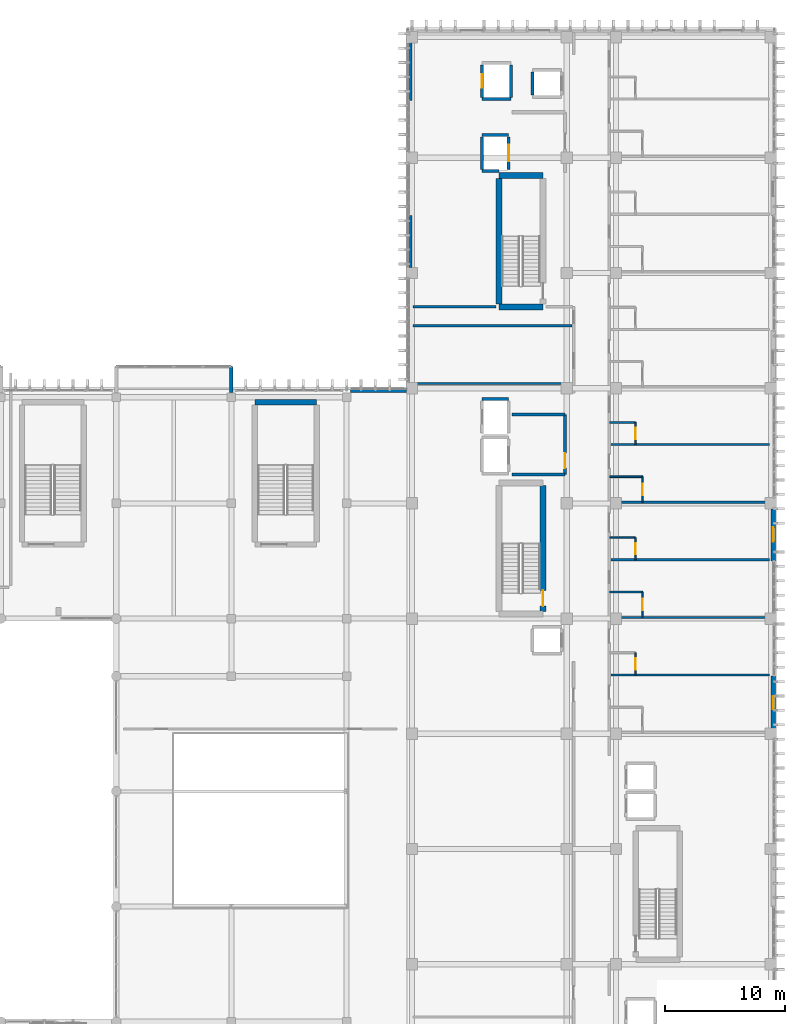
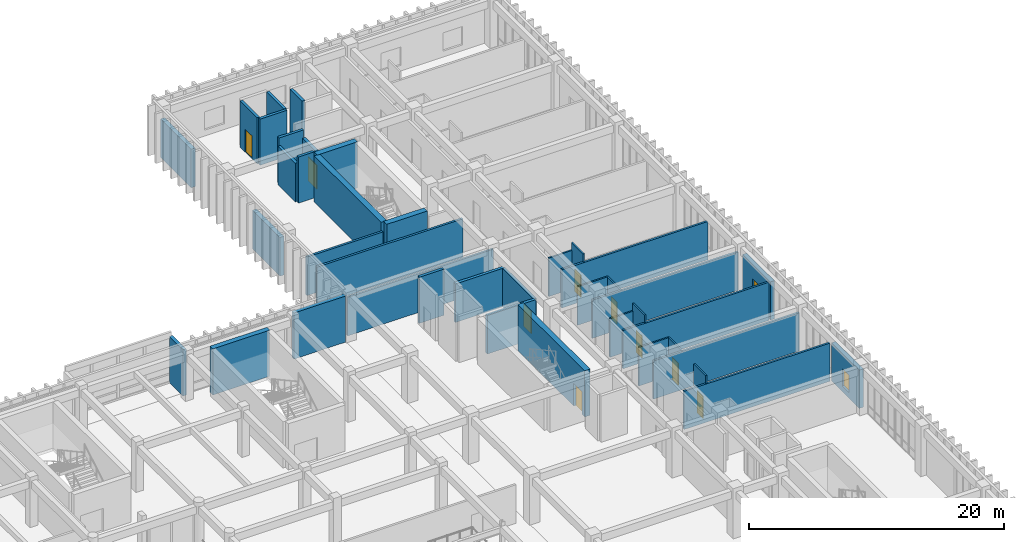
# One storey, part 106 of 133: 40 walls, 9 doors, 2 windows, 11 openings.
"""IFC4 building model written with IfcOpenShell, lengths in metres."""

import ifcopenshell
import ifcopenshell.guid

model = None  # the IFC model being written
_history = None  # IfcOwnerHistory: only IFC2X3 demands one
_inside = {}  # id of a spatial element -> (the spatial element, [elements in it])
_under = {}  # id of a project, library or spatial element -> (it, [spatial elements below it])
_declared = {}  # id of a project -> (the project, [libraries it declares])
_typed = {}  # id of a type object -> (the type object, [elements of that type])
_made_of = {}  # id of a material, layer set ... -> (it, [elements and type objects made of it])


def new_model(schema):
    """Start an empty IFC model of exactly this schema.

    Asked for "IFC4X3", IfcOpenShell would pick the latest addendum, in which some entities
    have other attributes; the version numbers below select the first issue.
    IFC2X3 requires an IfcOwnerHistory on every rooted entity: one is made here for all.
    """
    global model, _history
    if schema == "IFC4X3":
        model = ifcopenshell.file(schema_version=(4, 3, 0, 0))
    else:
        model = ifcopenshell.file(schema=schema)
    _inside.clear()
    _under.clear()
    _declared.clear()
    _typed.clear()
    _made_of.clear()
    _history = None
    if model.schema == "IFC2X3":
        org = make("IfcOrganization", Name="unknown")
        user = make(
            "IfcPersonAndOrganization",
            ThePerson=make("IfcPerson", FamilyName="unknown"),
            TheOrganization=org,
        )
        app = make(
            "IfcApplication",
            ApplicationDeveloper=org,
            Version="unknown",
            ApplicationFullName="unknown",
            ApplicationIdentifier="unknown",
        )
        _history = make(
            "IfcOwnerHistory",
            OwningUser=user,
            OwningApplication=app,
            ChangeAction="ADDED",
            CreationDate=0,
        )
    return model


def make(cls, **values):
    """One entity of the class cls with the attributes given. An attribute that is None is left unset."""
    return model.create_entity(
        cls, **{name: value for name, value in values.items() if value is not None}
    )


def rooted(cls, **values):
    """An entity with a GlobalId (a new one), such as an element, a storey or a relation."""
    return make(cls, GlobalId=ifcopenshell.guid.new(), OwnerHistory=_history, **values)


def si_unit(unit_type, name, prefix=None):
    """IfcSIUnit, for example si_unit("LENGTHUNIT", "METRE", prefix="MILLI")."""
    return make("IfcSIUnit", UnitType=unit_type, Prefix=prefix, Name=name)


def assignment(units):
    """IfcUnitAssignment: the units of a project."""
    return None if units is None else make("IfcUnitAssignment", Units=units)


def point(xyz):
    """IfcCartesianPoint."""
    return None if xyz is None else make("IfcCartesianPoint", Coordinates=xyz)


def direction(xyz):
    """IfcDirection."""
    return None if xyz is None else make("IfcDirection", DirectionRatios=xyz)


def frame(location, z_axis=None, x_axis=None):
    """IfcAxis2Placement3D, a coordinate frame: its origin and axes. An axis left out is left unset."""
    return make(
        "IfcAxis2Placement3D",
        Location=point(location),
        Axis=direction(z_axis),
        RefDirection=direction(x_axis),
    )


def frame_2d(location, x_axis=None):
    """IfcAxis2Placement2D, a coordinate frame in the plane: its origin and x axis."""
    return make(
        "IfcAxis2Placement2D", Location=point(location), RefDirection=direction(x_axis)
    )


def origin():
    """The frame at (0, 0, 0) with its axes left unset."""
    return frame((0.0, 0.0, 0.0))


def place(relative_to, where):
    """IfcLocalPlacement: puts the frame where relative to a parent placement (None: the world)."""
    return make(
        "IfcLocalPlacement", PlacementRelTo=relative_to, RelativePlacement=where
    )


def context(
    kind, dimensions, precision=None, world=None, true_north=None, identifier=None
):
    """IfcGeometricRepresentationContext, for example the 3D "Model" context."""
    return make(
        "IfcGeometricRepresentationContext",
        ContextIdentifier=identifier,
        ContextType=kind,
        CoordinateSpaceDimension=dimensions,
        Precision=precision,
        WorldCoordinateSystem=world,
        TrueNorth=true_north,
    )


def subcontext(parent, identifier, kind, view, scale=None):
    """IfcGeometricRepresentationSubContext, for example "Body" below "Model"."""
    return make(
        "IfcGeometricRepresentationSubContext",
        ContextIdentifier=identifier,
        ContextType=kind,
        ParentContext=parent,
        TargetScale=scale,
        TargetView=view,
    )


def project(units=None, contexts=None):
    """IfcProject with its units and contexts."""
    return rooted(
        "IfcProject",
        Name="project",
        RepresentationContexts=contexts,
        UnitsInContext=assignment(units),
    )


def spatial(cls, under=None, at=None, **own):
    """A site, building, storey or space (cls), placed at a placement, below another one or the project."""
    s = rooted(cls, ObjectPlacement=at, **own)
    if under is not None:
        _under.setdefault(under.id(), (under, []))[1].append(s)
    return s


def profile(cls, at=None, kind="AREA", **sizes):
    """A parametric profile (cls). Its sizes go by their IFC names, for example OverallWidth=200.0."""
    return make(cls, ProfileType=kind, Position=at, **sizes)


def rectangle(**sizes):
    """IfcRectangleProfileDef."""
    return profile("IfcRectangleProfileDef", **sizes)


def extrude(swept, where, along, depth):
    """IfcExtrudedAreaSolid: the profile swept, set in the frame where, extruded along a direction by depth."""
    return make(
        "IfcExtrudedAreaSolid",
        SweptArea=swept,
        Position=where,
        ExtrudedDirection=direction(along),
        Depth=depth,
    )


def shape(context_of_items, identifier, shape_type, items):
    """IfcShapeRepresentation: the items that make up one representation, for example the "Body"."""
    return make(
        "IfcShapeRepresentation",
        ContextOfItems=context_of_items,
        RepresentationIdentifier=identifier,
        RepresentationType=shape_type,
        Items=items,
    )


def material(Name=None, Category=None):
    """IfcMaterial."""
    return make("IfcMaterial", Name=Name, Category=Category)


def layer(
    of_material, thickness, ventilated=None, Name=None, Category=None, Priority=None
):
    """IfcMaterialLayer: one layer of a wall or slab, of a material (None: an air gap)."""
    return make(
        "IfcMaterialLayer",
        Material=of_material,
        LayerThickness=thickness,
        IsVentilated=ventilated,
        Name=Name,
        Category=Category,
        Priority=Priority,
    )


def layer_set(layers, Name=None):
    """IfcMaterialLayerSet."""
    return make("IfcMaterialLayerSet", MaterialLayers=layers, LayerSetName=Name)


def made_of(thing, what):
    """Note that an element or type object is made of a material, layer set ...; save() writes the relation."""
    if what is not None:
        _made_of.setdefault(what.id(), (what, []))[1].append(thing)
    return thing


def type_object(cls, material=None, **own):
    """A type object (cls), such as IfcWallType, which elements share."""
    return made_of(rooted(cls, **own), material)


def element(
    cls,
    number,
    at=None,
    inside=None,
    cuts=None,
    type_object=None,
    material=None,
    context=None,
    identifier="Body",
    shape_type=None,
    held_by="IfcProductDefinitionShape",
    body=None,
    shapes=None,
    **own,
):
    """One element of the class cls, such as IfcWall. Its Tag is "e" and its number.

    at: its placement. inside: the storey or other place that contains it. cuts: it is an
    opening in that element (IfcRelVoidsElement). A single representation is given by context,
    identifier, shape_type and body (its items); several are given by shapes. held_by: the class
    of the entity that holds the representations. save() writes the other relations.
    """
    e = rooted(cls, Tag="e%d" % number, ObjectPlacement=at, **own)
    if body is not None:
        shapes = [shape(context, identifier, shape_type, body)]
    if shapes is not None:
        e.Representation = make(held_by, Representations=shapes)
    if inside is not None:
        _inside.setdefault(inside.id(), (inside, []))[1].append(e)
    if cuts is not None:
        rooted(
            "IfcRelVoidsElement", RelatingBuildingElement=cuts, RelatedOpeningElement=e
        )
    if type_object is not None:
        _typed.setdefault(type_object.id(), (type_object, []))[1].append(e)
    return made_of(e, material)


def fill(opening, filler):
    """IfcRelFillsElement: the door or window that sits in an opening."""
    return rooted(
        "IfcRelFillsElement",
        RelatingOpeningElement=opening,
        RelatedBuildingElement=filler,
    )


def aggregate(whole, parts):
    """IfcRelAggregates: a whole, such as a stair, and the parts it consists of."""
    return rooted("IfcRelAggregates", RelatingObject=whole, RelatedObjects=parts)


def save(model, path):
    """Write the relations noted so far, then the file.

    IfcRelAggregates (storeys below a building ...), IfcRelContainedInSpatialStructure (elements
    in a storey), IfcRelDefinesByType, IfcRelAssociatesMaterial and IfcRelDeclares: one each for
    every whole, place, type object, material and project.
    """
    for whole, parts in _under.values():
        aggregate(whole, parts)
    for where, things in _inside.values():
        rooted(
            "IfcRelContainedInSpatialStructure",
            RelatedElements=things,
            RelatingStructure=where,
        )
    for kind, things in _typed.values():
        rooted("IfcRelDefinesByType", RelatedObjects=things, RelatingType=kind)
    for what, things in _made_of.values():
        rooted("IfcRelAssociatesMaterial", RelatedObjects=things, RelatingMaterial=what)
    for by, libraries in _declared.values():
        rooted("IfcRelDeclares", RelatingContext=by, RelatedDefinitions=libraries)
    model.write(path)


model = new_model("IFC4")

# Units and contexts
model_context = context("Model", 3, precision=1e-05, world=origin(), true_north=direction((0.0, 1.0)))
body_context = subcontext(model_context, "Body", "Model", "MODEL_VIEW")
ifc_project = project(units=[si_unit("LENGTHUNIT", "METRE"), si_unit("AREAUNIT", "SQUARE_METRE"), si_unit("VOLUMEUNIT", "CUBIC_METRE"), si_unit("PLANEANGLEUNIT", "RADIAN"), si_unit("MASSUNIT", "GRAM", prefix="KILO")], contexts=[model_context])

# Site, building, storey
site_placement = place(None, origin())
site = spatial("IfcSite", under=ifc_project, at=site_placement, CompositionType="ELEMENT")
building_placement = place(site_placement, origin())
building = spatial("IfcBuilding", under=site, at=building_placement, Name="Nakhvara Creek Congress Hotel", CompositionType="ELEMENT")
storey_placement = place(building_placement, frame((0.0, 0.0, 11.39990234375)))
storey = spatial("IfcBuildingStorey", under=building, at=storey_placement, Name="L02", CompositionType="ELEMENT", Elevation=11.39990234375)

# Walls
ifc_material_1 = material(Name="Champagne-bronze anodised aluminium cassette", Category="aluminium")
ifc_layer_1 = layer(ifc_material_1, 0.030029296875)
ifc_material_2 = material(Name="Mineral wool thermal insulation")
ifc_layer_2 = layer(ifc_material_2, 0.10009765625)
ifc_material_3 = material(Name="Precast concrete C40/50", Category="concrete")
ifc_layer_3 = layer(ifc_material_3, 0.169921875)
ifc_layer_set_1 = layer_set([ifc_layer_1, ifc_layer_2, ifc_layer_3], Name="Precast concrete C40/50")
wall_type_1 = type_object("IfcWallType", Name="W-BOX-300", PredefinedType="SOLIDWALL", material=ifc_layer_set_1)
wall_1_placement = place(storey_placement, frame((134.39990234375, 97.800048828125, 0.0), z_axis=(0.0, 0.0, 1.0), x_axis=(0.0, -1.0, 0.0)))
element("IfcWall", 1, at=wall_1_placement, inside=storey, type_object=wall_type_1, Name="Exterior Wall WE06-EW-L02-0073", PredefinedType="SOLIDWALL", context=body_context, shape_type="SweptSolid", body=[
    extrude(rectangle(XDim=2.150146484375, YDim=0.300048828125, at=frame_2d((1.0751953125, 0.0))), origin(), (0.0, 0.0, 1.0), 4.420166015625),
])
ifc_material_4 = material(Name="Concrete C50/60", Category="concrete")
ifc_layer_4 = layer(ifc_material_4, 0.449951171875)
ifc_layer_set_2 = layer_set([ifc_layer_4], Name="Concrete C50/60")
wall_type_2 = type_object("IfcWallType", Name="W-CORE-450", PredefinedType="SHEAR", material=ifc_layer_set_2)
wall_2_placement = place(storey_placement, frame((136.35009765625, 94.820068359375, 0.0), z_axis=(0.0, 0.0, 1.0), x_axis=(1.0, 0.0, 0.0)))
element("IfcWall", 2, at=wall_2_placement, inside=storey, type_object=wall_type_2, Name="Core Shear Wall WS02-CWALL-L02-0928", PredefinedType="SHEAR", context=body_context, shape_type="SweptSolid", body=[
    extrude(rectangle(XDim=5.14990234375, YDim=0.449951171875, at=frame_2d((2.574951171875, 0.0))), origin(), (0.0, 0.0, 1.0), 4.420166015625),
])

# Wall, opening, door
ifc_layer_5 = layer(ifc_material_4, 0.5)
ifc_layer_set_3 = layer_set([ifc_layer_5], Name="Concrete C50/60")
wall_type_3 = type_object("IfcWallType", Name="W-CORE-500", PredefinedType="SHEAR", material=ifc_layer_set_3)
wall_3_placement = place(storey_placement, frame((160.3701171875, 77.39990234375, 0.0), z_axis=(0.0, 0.0, 1.0), x_axis=(0.0, 1.0, 0.0)))
wall_3 = element("IfcWall", 3, at=wall_3_placement, inside=storey, type_object=wall_type_3, Name="Core Shear Wall WS01-CWALL-L02-0076", PredefinedType="SHEAR", context=body_context, shape_type="SweptSolid", body=[
    extrude(rectangle(XDim=10.5, YDim=0.5, at=frame_2d((5.25, 0.0))), origin(), (0.0, 0.0, 1.0), 4.420166015625),
])
opening_1_placement = place(wall_3_placement, frame((0.449951171875, 0.0, 0.0)))
opening_1 = element("IfcOpeningElement", 4, at=opening_1_placement, cuts=wall_3, Name="Opening FD04", PredefinedType="OPENING", context=body_context, shape_type="SweptSolid", body=[
    extrude(rectangle(XDim=1.300048828125, YDim=2.14990234375, at=frame_2d((0.64990234375, 1.074951171875))), frame((0.0, 0.261962890625, 0.0), z_axis=(0.0, -1.0, 0.0), x_axis=(1.0, 0.0, 0.0)), (0.0, 0.0, 1.0), 0.52392578125),
])
ifc_material_5 = material(Name="Powder-coated steel fire door", Category="steel")
door_type_1 = type_object("IfcDoorType", Name="DT-STAIR-130", OperationType="NOTDEFINED", PredefinedType="DOOR", material=ifc_material_5)
door_1_placement = place(opening_1_placement, frame((1.300048828125, 0.0, 0.0), z_axis=(0.0, 0.0, 1.0), x_axis=(-1.0, 0.0, 0.0)))
door_1 = element("IfcDoor", 5, at=door_1_placement, inside=storey, type_object=door_type_1, Name="Stair Exit Door ST01-L02", OperationType="SINGLE_SWING_LEFT", OverallHeight=2.14990234375, OverallWidth=1.300048828125, PredefinedType="DOOR", context=body_context, shape_type="SweptSolid", body=[
    extrude(rectangle(XDim=1.300048828125, YDim=2.14990234375, at=frame_2d((0.64990234375, 1.074951171875))), frame((0.0, 0.02490234375, 0.0), z_axis=(0.0, -1.0, 0.0), x_axis=(1.0, 0.0, 0.0)), (0.0, 0.0, 1.0), 0.050048828125),
])
fill(opening_1, door_1)

# Walls
for number, where, z_axis, x_axis, name in (
    (6, (156.699951171875, 102.780029296875, 0.0), (0.0, 0.0, 1.0), (1.0, 0.0, 0.0), "Core Shear Wall WS01-CWALL-L02-0340"),
    (7, (156.699951171875, 113.719970703125, 0.0), (0.0, 0.0, 1.0), (1.0, 0.0, 0.0), "Core Shear Wall WS01-CWALL-L02-0341"),
):
    element("IfcWall", number, at=place(storey_placement, frame(where, z_axis=z_axis, x_axis=x_axis)), inside=storey, type_object=wall_type_3, Name=name, PredefinedType="SHEAR", context=body_context, shape_type="SweptSolid", body=[
        extrude(rectangle(XDim=3.670166015625, YDim=0.5, at=frame_2d((1.8349609375, 0.0))), origin(), (0.0, 0.0, 1.0), 4.420166015625),
    ])
wall_4_placement = place(storey_placement, frame((156.699951171875, 103.0, 0.0), z_axis=(0.0, 0.0, 1.0), x_axis=(0.0, 1.0, 0.0)))
element("IfcWall", 8, at=wall_4_placement, inside=storey, type_object=wall_type_3, Name="Core Shear Wall WS01-CWALL-L02-0342", PredefinedType="SHEAR", context=body_context, shape_type="SweptSolid", body=[
    extrude(rectangle(XDim=10.5, YDim=0.5, at=frame_2d((5.25, 0.0))), origin(), (0.0, 0.0, 1.0), 4.420166015625),
])

# Wall, opening, door
ifc_material_6 = material(Name="Moisture-resistant gypsum board partition")
ifc_layer_6 = layer(ifc_material_6, 0.139892578125)
ifc_layer_set_4 = layer_set([ifc_layer_6], Name="Moisture-resistant gypsum board partition")
wall_type_4 = type_object("IfcWallType", Name="W-ENS-140", PredefinedType="PARTITIONING", material=ifc_layer_set_4)
wall_5_placement = place(storey_placement, frame((168.070068359375, 72.10009765625, 0.0), z_axis=(0.0, 0.0, 1.0), x_axis=(0.0, 1.0, 0.0)))
wall_5 = element("IfcWall", 9, at=wall_5_placement, inside=storey, type_object=wall_type_4, Name="Interior Wall WP15-IW-L02-0177", PredefinedType="PARTITIONING", context=body_context, shape_type="SweptSolid", body=[
    extrude(rectangle(XDim=1.849853515625, YDim=0.139892578125, at=frame_2d((0.9248046875, 0.0))), origin(), (0.0, 0.0, 1.0), 4.420166015625),
])
opening_2_placement = place(wall_5_placement, frame((0.449951171875, 0.0, 0.0)))
opening_2 = element("IfcOpeningElement", 10, at=opening_2_placement, cuts=wall_5, Name="Opening ID02", PredefinedType="OPENING", context=body_context, shape_type="SweptSolid", body=[
    extrude(rectangle(XDim=0.9599609375, YDim=2.1201171875, at=frame_2d((0.47998046875, 1.06005859375))), frame((0.0, 0.08203125, 0.0), z_axis=(0.0, -1.0, 0.0), x_axis=(1.0, 0.0, 0.0)), (0.0, 0.0, 1.0), 0.163818359375),
])
ifc_material_7 = material(Name="Moisture-resistant walnut timber door", Category="wood")
door_type_2 = type_object("IfcDoorType", Name="DT-ENS-096", OperationType="NOTDEFINED", PredefinedType="DOOR", material=ifc_material_7)
door_2_placement = place(opening_2_placement, frame((0.9599609375, 0.0, 0.0), z_axis=(0.0, 0.0, 1.0), x_axis=(-1.0, 0.0, 0.0)))
door_2 = element("IfcDoor", 11, at=door_2_placement, inside=storey, type_object=door_type_2, Name="Interior Door ID02-0174", OperationType="SINGLE_SWING_LEFT", OverallHeight=2.1201171875, OverallWidth=0.9599609375, PredefinedType="DOOR", context=body_context, shape_type="SweptSolid", body=[
    extrude(rectangle(XDim=0.9599609375, YDim=2.1201171875, at=frame_2d((0.47998046875, 1.06005859375))), frame((0.0, 0.02490234375, 0.0), z_axis=(0.0, -1.0, 0.0), x_axis=(1.0, 0.0, 0.0)), (0.0, 0.0, 1.0), 0.050048828125),
])
fill(opening_2, door_2)

wall_6_placement = place(storey_placement, frame((168.669921875, 76.89990234375, 0.0), z_axis=(0.0, 0.0, 1.0), x_axis=(0.0, 1.0, 0.0)))
wall_6 = element("IfcWall", 12, at=wall_6_placement, inside=storey, type_object=wall_type_4, Name="Interior Wall WP15-IW-L02-0180", PredefinedType="PARTITIONING", context=body_context, shape_type="SweptSolid", body=[
    extrude(rectangle(XDim=2.1162109375, YDim=0.139892578125, at=frame_2d((1.05810546875, 0.0))), origin(), (0.0, 0.0, 1.0), 3.692138671875),
])
opening_3_placement = place(wall_6_placement, frame((0.5830078125, 0.0, 0.0)))
opening_3 = element("IfcOpeningElement", 13, at=opening_3_placement, cuts=wall_6, Name="Opening ID02", PredefinedType="OPENING", context=body_context, shape_type="SweptSolid", body=[
    extrude(rectangle(XDim=0.9599609375, YDim=2.1201171875, at=frame_2d((0.47998046875, 1.06005859375))), frame((0.0, 0.08203125, 0.0), z_axis=(0.0, -1.0, 0.0), x_axis=(1.0, 0.0, 0.0)), (0.0, 0.0, 1.0), 0.163818359375),
])
door_3_placement = place(opening_3_placement, frame((0.9599609375, 0.0, 0.0), z_axis=(0.0, 0.0, 1.0), x_axis=(-1.0, 0.0, 0.0)))
door_3 = element("IfcDoor", 14, at=door_3_placement, inside=storey, type_object=door_type_2, Name="Interior Door ID02-0176", OperationType="SINGLE_SWING_LEFT", OverallHeight=2.1201171875, OverallWidth=0.9599609375, PredefinedType="DOOR", context=body_context, shape_type="SweptSolid", body=[
    extrude(rectangle(XDim=0.9599609375, YDim=2.1201171875, at=frame_2d((0.47998046875, 1.06005859375))), frame((0.0, 0.02490234375, 0.0), z_axis=(0.0, -1.0, 0.0), x_axis=(1.0, 0.0, 0.0)), (0.0, 0.0, 1.0), 0.050048828125),
])
fill(opening_3, door_3)

# Wall
wall_7_placement = place(storey_placement, frame((165.919921875, 79.01611328125, 0.0), z_axis=(0.0, 0.0, 1.0), x_axis=(1.0, 0.0, 0.0)))
element("IfcWall", 15, at=wall_7_placement, inside=storey, type_object=wall_type_4, Name="Interior Wall WP15-IW-L02-0181", PredefinedType="PARTITIONING", context=body_context, shape_type="SweptSolid", body=[
    extrude(rectangle(XDim=2.75, YDim=0.139892578125, at=frame_2d((1.375, 0.0))), origin(), (0.0, 0.0, 1.0), 3.692138671875),
])

# Wall, opening, door
wall_8_placement = place(storey_placement, frame((168.070068359375, 81.699951171875, 0.0), z_axis=(0.0, 0.0, 1.0), x_axis=(0.0, 1.0, 0.0)))
wall_8 = element("IfcWall", 16, at=wall_8_placement, inside=storey, type_object=wall_type_4, Name="Interior Wall WP15-IW-L02-0183", PredefinedType="PARTITIONING", context=body_context, shape_type="SweptSolid", body=[
    extrude(rectangle(XDim=1.85009765625, YDim=0.139892578125, at=frame_2d((0.925048828125, 0.0))), origin(), (0.0, 0.0, 1.0), 4.420166015625),
])
opening_4_placement = place(wall_8_placement, frame((0.449951171875, 0.0, 0.0)))
opening_4 = element("IfcOpeningElement", 17, at=opening_4_placement, cuts=wall_8, Name="Opening ID01", PredefinedType="OPENING", context=body_context, shape_type="SweptSolid", body=[
    extrude(rectangle(XDim=0.919921875, YDim=2.10009765625, at=frame_2d((0.4599609375, 1.050048828125))), frame((0.0, 0.08203125, 0.0), z_axis=(0.0, -1.0, 0.0), x_axis=(1.0, 0.0, 0.0)), (0.0, 0.0, 1.0), 0.163818359375),
])
door_type_3 = type_object("IfcDoorType", Name="DT-ENS-092", OperationType="NOTDEFINED", PredefinedType="DOOR", material=ifc_material_7)
door_4_placement = place(opening_4_placement, frame((0.919921875, 0.0, 0.0), z_axis=(0.0, 0.0, 1.0), x_axis=(-1.0, 0.0, 0.0)))
door_4 = element("IfcDoor", 18, at=door_4_placement, inside=storey, type_object=door_type_3, Name="Interior Door ID01-0178", OperationType="SINGLE_SWING_LEFT", OverallHeight=2.10009765625, OverallWidth=0.919921875, PredefinedType="DOOR", context=body_context, shape_type="SweptSolid", body=[
    extrude(rectangle(XDim=0.919921875, YDim=2.10009765625, at=frame_2d((0.4599609375, 1.050048828125))), frame((0.0, 0.02490234375, 0.0), z_axis=(0.0, -1.0, 0.0), x_axis=(1.0, 0.0, 0.0)), (0.0, 0.0, 1.0), 0.050048828125),
])
fill(opening_4, door_4)

# Wall
wall_9_placement = place(storey_placement, frame((165.919921875, 83.550048828125, 0.0), z_axis=(0.0, 0.0, 1.0), x_axis=(1.0, 0.0, 0.0)))
element("IfcWall", 19, at=wall_9_placement, inside=storey, type_object=wall_type_4, Name="Interior Wall WP15-IW-L02-0184", PredefinedType="PARTITIONING", context=body_context, shape_type="SweptSolid", body=[
    extrude(rectangle(XDim=2.150146484375, YDim=0.139892578125, at=frame_2d((1.0751953125, 0.0))), origin(), (0.0, 0.0, 1.0), 3.692138671875),
])

# Wall, opening, door
wall_10_placement = place(storey_placement, frame((168.669921875, 86.5, 0.0), z_axis=(0.0, 0.0, 1.0), x_axis=(0.0, 1.0, 0.0)))
wall_10 = element("IfcWall", 20, at=wall_10_placement, inside=storey, type_object=wall_type_4, Name="Interior Wall WP15-IW-L02-0186", PredefinedType="PARTITIONING", context=body_context, shape_type="SweptSolid", body=[
    extrude(rectangle(XDim=2.115966796875, YDim=0.139892578125, at=frame_2d((1.05810546875, 0.0))), origin(), (0.0, 0.0, 1.0), 3.692138671875),
])
opening_5_placement = place(wall_10_placement, frame((0.5830078125, 0.0, 0.0)))
opening_5 = element("IfcOpeningElement", 21, at=opening_5_placement, cuts=wall_10, Name="Opening ID02", PredefinedType="OPENING", context=body_context, shape_type="SweptSolid", body=[
    extrude(rectangle(XDim=0.9599609375, YDim=2.1201171875, at=frame_2d((0.47998046875, 1.06005859375))), frame((0.0, 0.08203125, 0.0), z_axis=(0.0, -1.0, 0.0), x_axis=(1.0, 0.0, 0.0)), (0.0, 0.0, 1.0), 0.163818359375),
])
door_5_placement = place(opening_5_placement, frame((0.9599609375, 0.0, 0.0), z_axis=(0.0, 0.0, 1.0), x_axis=(-1.0, 0.0, 0.0)))
door_5 = element("IfcDoor", 22, at=door_5_placement, inside=storey, type_object=door_type_2, Name="Interior Door ID02-0180", OperationType="SINGLE_SWING_LEFT", OverallHeight=2.1201171875, OverallWidth=0.9599609375, PredefinedType="DOOR", context=body_context, shape_type="SweptSolid", body=[
    extrude(rectangle(XDim=0.9599609375, YDim=2.1201171875, at=frame_2d((0.47998046875, 1.06005859375))), frame((0.0, 0.02490234375, 0.0), z_axis=(0.0, -1.0, 0.0), x_axis=(1.0, 0.0, 0.0)), (0.0, 0.0, 1.0), 0.050048828125),
])
fill(opening_5, door_5)

# Wall
wall_11_placement = place(storey_placement, frame((165.919921875, 88.615966796875, 0.0), z_axis=(0.0, 0.0, 1.0), x_axis=(1.0, 0.0, 0.0)))
element("IfcWall", 23, at=wall_11_placement, inside=storey, type_object=wall_type_4, Name="Interior Wall WP15-IW-L02-0187", PredefinedType="PARTITIONING", context=body_context, shape_type="SweptSolid", body=[
    extrude(rectangle(XDim=2.75, YDim=0.139892578125, at=frame_2d((1.375, 0.0))), origin(), (0.0, 0.0, 1.0), 3.692138671875),
])

# Wall, opening, door
wall_12_placement = place(storey_placement, frame((168.070068359375, 91.300048828125, 0.0), z_axis=(0.0, 0.0, 1.0), x_axis=(0.0, 1.0, 0.0)))
wall_12 = element("IfcWall", 24, at=wall_12_placement, inside=storey, type_object=wall_type_4, Name="Interior Wall WP15-IW-L02-0189", PredefinedType="PARTITIONING", context=body_context, shape_type="SweptSolid", body=[
    extrude(rectangle(XDim=1.849853515625, YDim=0.139892578125, at=frame_2d((0.9248046875, 0.0))), origin(), (0.0, 0.0, 1.0), 4.420166015625),
])
opening_6_placement = place(wall_12_placement, frame((0.449951171875, 0.0, 0.0)))
opening_6 = element("IfcOpeningElement", 25, at=opening_6_placement, cuts=wall_12, Name="Opening ID02", PredefinedType="OPENING", context=body_context, shape_type="SweptSolid", body=[
    extrude(rectangle(XDim=0.9599609375, YDim=2.1201171875, at=frame_2d((0.47998046875, 1.06005859375))), frame((0.0, 0.08203125, 0.0), z_axis=(0.0, -1.0, 0.0), x_axis=(1.0, 0.0, 0.0)), (0.0, 0.0, 1.0), 0.163818359375),
])
door_6_placement = place(opening_6_placement, frame((0.9599609375, 0.0, 0.0), z_axis=(0.0, 0.0, 1.0), x_axis=(-1.0, 0.0, 0.0)))
door_6 = element("IfcDoor", 26, at=door_6_placement, inside=storey, type_object=door_type_2, Name="Interior Door ID02-0182", OperationType="SINGLE_SWING_LEFT", OverallHeight=2.1201171875, OverallWidth=0.9599609375, PredefinedType="DOOR", context=body_context, shape_type="SweptSolid", body=[
    extrude(rectangle(XDim=0.9599609375, YDim=2.1201171875, at=frame_2d((0.47998046875, 1.06005859375))), frame((0.0, 0.02490234375, 0.0), z_axis=(0.0, -1.0, 0.0), x_axis=(1.0, 0.0, 0.0)), (0.0, 0.0, 1.0), 0.050048828125),
])
fill(opening_6, door_6)

# Walls
wall_13_placement = place(storey_placement, frame((165.919921875, 93.14990234375, 0.0), z_axis=(0.0, 0.0, 1.0), x_axis=(1.0, 0.0, 0.0)))
element("IfcWall", 27, at=wall_13_placement, inside=storey, type_object=wall_type_4, Name="Interior Wall WP15-IW-L02-0190", PredefinedType="PARTITIONING", context=body_context, shape_type="SweptSolid", body=[
    extrude(rectangle(XDim=2.150146484375, YDim=0.139892578125, at=frame_2d((1.0751953125, 0.0))), origin(), (0.0, 0.0, 1.0), 3.692138671875),
])
ifc_material_8 = material(Name="Architectural GRC panel")
ifc_layer_7 = layer(ifc_material_8, 0.0400390625)
ifc_layer_8 = layer(ifc_material_2, 0.10009765625)
ifc_layer_9 = layer(ifc_material_3, 0.199951171875)
ifc_layer_set_5 = layer_set([ifc_layer_7, ifc_layer_8, ifc_layer_9], Name="Precast concrete C40/50")
wall_type_5 = type_object("IfcWallType", Name="W-EXT-340", PredefinedType="SOLIDWALL", material=ifc_layer_set_5)
wall_14_placement = place(storey_placement, frame((144.324951171875, 95.830078125, 0.0), z_axis=(0.0, 0.0, 1.0), x_axis=(1.0, 0.0, 0.0)))
element("IfcWall", 28, at=wall_14_placement, inside=storey, type_object=wall_type_5, Name="Exterior Wall WE04-EW-L02-0077", PredefinedType="SOLIDWALL", context=body_context, shape_type="SweptSolid", body=[
    extrude(rectangle(XDim=4.675048828125, YDim=0.340087890625, at=frame_2d((2.33740234375, 0.0))), origin(), (0.0, 0.0, 1.0), 4.420166015625),
])

# Wall, opening, window
ifc_material_9 = material(Name="Honed pale Omani limestone cladding", Category="masonry")
ifc_layer_10 = layer(ifc_material_9, 0.050048828125)
ifc_layer_11 = layer(ifc_material_2, 0.110107421875)
ifc_layer_12 = layer(ifc_material_3, 0.219970703125)
ifc_layer_set_6 = layer_set([ifc_layer_10, ifc_layer_11, ifc_layer_12], Name="Precast concrete C40/50")
wall_type_6 = type_object("IfcWallType", Name="W-EXT-380", PredefinedType="SOLIDWALL", material=ifc_layer_set_6)
wall_15_placement = place(storey_placement, frame((179.56005859375, 72.0, 0.0), z_axis=(0.0, 0.0, 1.0), x_axis=(0.0, -1.0, 0.0)))
wall_15 = element("IfcWall", 29, at=wall_15_placement, inside=storey, type_object=wall_type_6, Name="Exterior Wall WE03-EW-L02-0113", PredefinedType="SOLIDWALL", context=body_context, shape_type="SweptSolid", body=[
    extrude(rectangle(XDim=4.35009765625, YDim=0.3798828125, at=frame_2d((2.175048828125, 0.0))), origin(), (0.0, 0.0, 1.0), 3.662109375),
])
opening_7_placement = place(wall_15_placement, frame((1.68505859375, 0.0, 0.550048828125)))
opening_7 = element("IfcOpeningElement", 30, at=opening_7_placement, cuts=wall_15, Name="Opening WN0122", PredefinedType="OPENING", context=body_context, shape_type="SweptSolid", body=[
    extrude(rectangle(XDim=1.050048828125, YDim=1.64990234375, at=frame_2d((0.52490234375, 0.824951171875))), frame((0.0, 0.201904296875, 0.0), z_axis=(0.0, -1.0, 0.0), x_axis=(1.0, 0.0, 0.0)), (0.0, 0.0, 1.0), 0.40380859375),
])
ifc_material_10 = material(Name="Thermally broken bronze-anodised aluminium and double-silver low-E insulated glass", Category="aluminium")
window_type_1 = type_object("IfcWindowType", Name="WN-LAN-105X180", PartitioningType="SINGLE_PANEL", PredefinedType="WINDOW", material=ifc_material_10)
window_1_placement = place(opening_7_placement, origin())
window_1 = element("IfcWindow", 31, at=window_1_placement, inside=storey, type_object=window_type_1, Name="Facade Window WN0122", OverallHeight=1.64990234375, OverallWidth=1.050048828125, PartitioningType="SINGLE_PANEL", PredefinedType="WINDOW", context=body_context, shape_type="SweptSolid", body=[
    extrude(rectangle(XDim=1.050048828125, YDim=1.64990234375, at=frame_2d((0.52490234375, 0.824951171875))), frame((0.0, 0.030029296875, 0.0), z_axis=(0.0, -1.0, 0.0), x_axis=(1.0, 0.0, 0.0)), (0.0, 0.0, 1.0), 0.06005859375),
])
fill(opening_7, window_1)

wall_16_placement = place(storey_placement, frame((179.56005859375, 85.949951171875, 0.0), z_axis=(0.0, 0.0, 1.0), x_axis=(0.0, -1.0, 0.0)))
wall_16 = element("IfcWall", 32, at=wall_16_placement, inside=storey, type_object=wall_type_6, Name="Exterior Wall WE03-EW-L02-0114", PredefinedType="SOLIDWALL", context=body_context, shape_type="SweptSolid", body=[
    extrude(rectangle(XDim=4.349853515625, YDim=0.3798828125, at=frame_2d((2.1748046875, 0.0))), origin(), (0.0, 0.0, 1.0), 3.662109375),
])
opening_8_placement = place(wall_16_placement, frame((1.5400390625, 0.0, 0.550048828125)))
opening_8 = element("IfcOpeningElement", 33, at=opening_8_placement, cuts=wall_16, Name="Opening WN0123", PredefinedType="OPENING", context=body_context, shape_type="SweptSolid", body=[
    extrude(rectangle(XDim=1.199951171875, YDim=1.719970703125, at=frame_2d((0.60009765625, 0.85986328125))), frame((0.0, 0.201904296875, 0.0), z_axis=(0.0, -1.0, 0.0), x_axis=(1.0, 0.0, 0.0)), (0.0, 0.0, 1.0), 0.40380859375),
])
window_type_2 = type_object("IfcWindowType", Name="WN-LAN-120X220", PartitioningType="SINGLE_PANEL", PredefinedType="WINDOW", material=ifc_material_10)
window_2_placement = place(opening_8_placement, origin())
window_2 = element("IfcWindow", 34, at=window_2_placement, inside=storey, type_object=window_type_2, Name="Facade Window WN0123", OverallHeight=1.719970703125, OverallWidth=1.199951171875, PartitioningType="SINGLE_PANEL", PredefinedType="WINDOW", context=body_context, shape_type="SweptSolid", body=[
    extrude(rectangle(XDim=1.199951171875, YDim=1.719970703125, at=frame_2d((0.60009765625, 0.85986328125))), frame((0.0, 0.030029296875, 0.0), z_axis=(0.0, -1.0, 0.0), x_axis=(1.0, 0.0, 0.0)), (0.0, 0.0, 1.0), 0.06005859375),
])
fill(opening_8, window_2)

# Walls
wall_17_placement = place(storey_placement, frame((149.239990234375, 106.050048828125, 0.0), z_axis=(0.0, 0.0, 1.0), x_axis=(0.0, 1.0, 0.0)))
element("IfcWall", 35, at=wall_17_placement, inside=storey, type_object=wall_type_6, Name="Exterior Wall WE03-EW-L02-0116", PredefinedType="SOLIDWALL", context=body_context, shape_type="SweptSolid", body=[
    extrude(rectangle(XDim=4.349853515625, YDim=0.3798828125, at=frame_2d((2.1748046875, 0.0))), origin(), (0.0, 0.0, 1.0), 3.692138671875),
])
wall_18_placement = place(storey_placement, frame((149.239990234375, 120.0, 0.0), z_axis=(0.0, 0.0, 1.0), x_axis=(0.0, 1.0, 0.0)))
element("IfcWall", 36, at=wall_18_placement, inside=storey, type_object=wall_type_6, Name="Exterior Wall WE03-EW-L02-0118", PredefinedType="SOLIDWALL", context=body_context, shape_type="SweptSolid", body=[
    extrude(rectangle(XDim=4.800048828125, YDim=0.3798828125, at=frame_2d((2.39990234375, 0.0))), origin(), (0.0, 0.0, 1.0), 3.692138671875),
])

# Wall, opening, door
ifc_material_11 = material(Name="Concrete C40/50", Category="concrete")
ifc_layer_13 = layer(ifc_material_11, 0.260009765625)
ifc_layer_set_7 = layer_set([ifc_layer_13], Name="Concrete C40/50")
wall_type_7 = type_object("IfcWallType", Name="W-FFL-260", PredefinedType="SOLIDWALL", material=ifc_layer_set_7)
wall_19_placement = place(storey_placement, frame((162.199951171875, 88.800048828125, 0.0), z_axis=(0.0, 0.0, 1.0), x_axis=(0.0, 1.0, 0.0)))
wall_19 = element("IfcWall", 37, at=wall_19_placement, inside=storey, type_object=wall_type_7, Name="Core Shear Wall WI03-CWALL-L02-0088", PredefinedType="SOLIDWALL", context=body_context, shape_type="SweptSolid", body=[
    extrude(rectangle(XDim=5.0, YDim=0.260009765625, at=frame_2d((2.5, 0.0))), origin(), (0.0, 0.0, 1.0), 3.692138671875),
])
opening_9_placement = place(wall_19_placement, frame((0.550048828125, 0.0, 0.0)))
opening_9 = element("IfcOpeningElement", 38, at=opening_9_placement, cuts=wall_19, Name="Opening FD05", PredefinedType="OPENING", context=body_context, shape_type="SweptSolid", body=[
    extrude(rectangle(XDim=1.25, YDim=2.14990234375, at=frame_2d((0.625, 1.074951171875))), frame((0.0, 0.14208984375, 0.0), z_axis=(0.0, -1.0, 0.0), x_axis=(1.0, 0.0, 0.0)), (0.0, 0.0, 1.0), 0.283935546875),
])
ifc_material_12 = material(Name="Hardwood-veneered steel fire door", Category="steel")
door_type_4 = type_object("IfcDoorType", Name="DT-FFL-125", OperationType="NOTDEFINED", PredefinedType="DOOR", material=ifc_material_12)
door_7_placement = place(opening_9_placement, origin())
door_7 = element("IfcDoor", 39, at=door_7_placement, inside=storey, type_object=door_type_4, Name="Firefighting Lobby Door C1-L02", OperationType="DOUBLE_DOOR_SINGLE_SWING", OverallHeight=2.14990234375, OverallWidth=1.25, PredefinedType="DOOR", context=body_context, shape_type="SweptSolid", body=[
    extrude(rectangle(XDim=1.25, YDim=2.14990234375, at=frame_2d((0.625, 1.074951171875))), frame((0.0, 0.02490234375, 0.0), z_axis=(0.0, -1.0, 0.0), x_axis=(1.0, 0.0, 0.0)), (0.0, 0.0, 1.0), 0.050048828125),
])
fill(opening_9, door_7)

# Walls
for number, where, z_axis, x_axis, name in (
    (40, (157.800048828125, 88.800048828125, 0.0), (0.0, 0.0, 1.0), (1.0, 0.0, 0.0), "Core Shear Wall WI03-CWALL-L02-0089"),
    (41, (157.800048828125, 93.800048828125, 0.0), (0.0, 0.0, 1.0), (1.0, 0.0, 0.0), "Core Shear Wall WI03-CWALL-L02-0090"),
):
    element("IfcWall", number, at=place(storey_placement, frame(where, z_axis=z_axis, x_axis=x_axis)), inside=storey, type_object=wall_type_7, Name=name, PredefinedType="SOLIDWALL", context=body_context, shape_type="SweptSolid", body=[
        extrude(rectangle(XDim=4.39990234375, YDim=0.260009765625, at=frame_2d((2.199951171875, 0.0))), origin(), (0.0, 0.0, 1.0), 3.692138671875),
    ])
ifc_material_13 = material(Name="Gypsum acoustic board on steel stud", Category="steel")
ifc_layer_14 = layer(ifc_material_13, 0.179931640625)
ifc_layer_set_8 = layer_set([ifc_layer_14], Name="Gypsum acoustic board on steel stud")
wall_type_8 = type_object("IfcWallType", Name="W-MEET-180", PredefinedType="PARTITIONING", material=ifc_layer_set_8)
wall_20_placement = place(storey_placement, frame((149.550048828125, 96.39990234375, 0.0), z_axis=(0.0, 0.0, 1.0), x_axis=(1.0, 0.0, 0.0)))
element("IfcWall", 42, at=wall_20_placement, inside=storey, type_object=wall_type_8, Name="Interior Wall WP13-IW-L02-0153", PredefinedType="PARTITIONING", context=body_context, shape_type="SweptSolid", body=[
    extrude(rectangle(XDim=13.22998046875, YDim=0.179931640625, at=frame_2d((6.614990234375, 0.0))), origin(), (0.0, 0.0, 1.0), 3.692138671875),
])
for number, where, z_axis, x_axis, name in (
    (43, (166.02001953125, 72.10009765625, 0.0), (0.0, 0.0, 1.0), (1.0, 0.0, 0.0), "Interior Wall WP13-IW-L02-0176"),
    (44, (166.02001953125, 76.89990234375, 0.0), (0.0, 0.0, 1.0), (1.0, 0.0, 0.0), "Interior Wall WP13-IW-L02-0179"),
    (45, (166.02001953125, 81.699951171875, 0.0), (0.0, 0.0, 1.0), (1.0, 0.0, 0.0), "Interior Wall WP13-IW-L02-0182"),
    (46, (166.02001953125, 86.5, 0.0), (0.0, 0.0, 1.0), (1.0, 0.0, 0.0), "Interior Wall WP13-IW-L02-0185"),
    (47, (166.02001953125, 91.300048828125, 0.0), (0.0, 0.0, 1.0), (1.0, 0.0, 0.0), "Interior Wall WP13-IW-L02-0188"),
):
    element("IfcWall", number, at=place(storey_placement, frame(where, z_axis=z_axis, x_axis=x_axis)), inside=storey, type_object=wall_type_8, Name=name, PredefinedType="PARTITIONING", context=body_context, shape_type="SweptSolid", body=[
        extrude(rectangle(XDim=13.22998046875, YDim=0.179931640625, at=frame_2d((6.614990234375, 0.0))), origin(), (0.0, 0.0, 1.0), 3.662109375),
    ])
ifc_layer_15 = layer(ifc_material_13, 0.199951171875)
ifc_layer_set_9 = layer_set([ifc_layer_15], Name="Gypsum acoustic board on steel stud")
wall_type_9 = type_object("IfcWallType", Name="W-PART-200", PredefinedType="PARTITIONING", material=ifc_layer_set_9)
wall_21_placement = place(storey_placement, frame((149.550048828125, 101.199951171875, 0.0), z_axis=(0.0, 0.0, 1.0), x_axis=(1.0, 0.0, 0.0)))
element("IfcWall", 48, at=wall_21_placement, inside=storey, type_object=wall_type_9, Name="Interior Wall WP12-IW-L02-0154", PredefinedType="PARTITIONING", context=body_context, shape_type="SweptSolid", body=[
    extrude(rectangle(XDim=13.22998046875, YDim=0.199951171875, at=frame_2d((6.614990234375, 0.0))), origin(), (0.0, 0.0, 1.0), 3.692138671875),
])
wall_22_placement = place(storey_placement, frame((149.550048828125, 102.780029296875, 0.0), z_axis=(0.0, 0.0, 1.0), x_axis=(1.0, 0.0, 0.0)))
element("IfcWall", 49, at=wall_22_placement, inside=storey, type_object=wall_type_9, Name="Interior Wall WP12-IW-L02-0155", PredefinedType="PARTITIONING", context=body_context, shape_type="SweptSolid", body=[
    extrude(rectangle(XDim=6.89990234375, YDim=0.199951171875, at=frame_2d((3.449951171875, 0.0))), origin(), (0.0, 0.0, 1.0), 3.692138671875),
])
ifc_layer_16 = layer(ifc_material_11, 0.25)
ifc_layer_set_10 = layer_set([ifc_layer_16], Name="Concrete C40/50")
wall_type_10 = type_object("IfcWallType", Name="W-SHAFT-250", PredefinedType="SOLIDWALL", material=ifc_layer_set_10)
wall_23_placement = place(storey_placement, frame((155.2900390625, 95.110107421875, 0.0), z_axis=(0.0, 0.0, 1.0), x_axis=(1.0, 0.0, 0.0)))
element("IfcWall", 50, at=wall_23_placement, inside=storey, type_object=wall_type_10, Name="Core Shear Wall WI02-CWALL-L02-0081", PredefinedType="SOLIDWALL", context=body_context, shape_type="SweptSolid", body=[
    extrude(rectangle(XDim=2.219970703125, YDim=0.25, at=frame_2d((1.10986328125, 0.0))), origin(), (0.0, 0.0, 1.0), 4.420166015625),
])
wall_24_placement = place(storey_placement, frame((155.2900390625, 114.090087890625, 0.0), z_axis=(0.0, 0.0, 1.0), x_axis=(1.0, 0.0, 0.0)))
element("IfcWall", 51, at=wall_24_placement, inside=storey, type_object=wall_type_10, Name="Core Shear Wall WI02-CWALL-L02-0344", PredefinedType="SOLIDWALL", context=body_context, shape_type="SweptSolid", body=[
    extrude(rectangle(XDim=1.39990234375, YDim=0.25, at=frame_2d((0.699951171875, 0.0))), origin(), (0.0, 0.0, 1.0), 4.420166015625),
])
wall_25_placement = place(storey_placement, frame((155.2900390625, 117.110107421875, 0.0), z_axis=(0.0, 0.0, 1.0), x_axis=(1.0, 0.0, 0.0)))
element("IfcWall", 52, at=wall_25_placement, inside=storey, type_object=wall_type_10, Name="Core Shear Wall WI02-CWALL-L02-0345", PredefinedType="SOLIDWALL", context=body_context, shape_type="SweptSolid", body=[
    extrude(rectangle(XDim=2.219970703125, YDim=0.25, at=frame_2d((1.10986328125, 0.0))), origin(), (0.0, 0.0, 1.0), 4.420166015625),
])
wall_26_placement = place(storey_placement, frame((155.2900390625, 114.25, 0.0), z_axis=(0.0, 0.0, 1.0), x_axis=(0.0, 1.0, 0.0)))
element("IfcWall", 53, at=wall_26_placement, inside=storey, type_object=wall_type_10, Name="Core Shear Wall WI02-CWALL-L02-0346", PredefinedType="SOLIDWALL", context=body_context, shape_type="SweptSolid", body=[
    extrude(rectangle(XDim=2.699951171875, YDim=0.25, at=frame_2d((1.35009765625, 0.0))), origin(), (0.0, 0.0, 1.0), 3.692138671875),
])

# Wall, opening, door
wall_27_placement = place(storey_placement, frame((157.510009765625, 114.25, 0.0), z_axis=(0.0, 0.0, 1.0), x_axis=(0.0, 1.0, 0.0)))
wall_27 = element("IfcWall", 54, at=wall_27_placement, inside=storey, type_object=wall_type_10, Name="Core Shear Wall WI02-CWALL-L02-0347", PredefinedType="SOLIDWALL", context=body_context, shape_type="SweptSolid", body=[
    extrude(rectangle(XDim=2.699951171875, YDim=0.25, at=frame_2d((1.35009765625, 0.0))), origin(), (0.0, 0.0, 1.0), 3.692138671875),
])
opening_10_placement = place(wall_27_placement, frame((0.64990234375, 0.0, 0.0)))
opening_10 = element("IfcOpeningElement", 55, at=opening_10_placement, cuts=wall_27, Name="Opening LD02", PredefinedType="OPENING", context=body_context, shape_type="SweptSolid", body=[
    extrude(rectangle(XDim=1.39990234375, YDim=2.300048828125, at=frame_2d((0.699951171875, 1.14990234375))), frame((0.0, 0.136962890625, 0.0), z_axis=(0.0, -1.0, 0.0), x_axis=(1.0, 0.0, 0.0)), (0.0, 0.0, 1.0), 0.27392578125),
])
ifc_material_14 = material(Name="Brushed stainless steel heavy goods landing door", Category="steel")
door_type_5 = type_object("IfcDoorType", Name="DT-LIFT-140", OperationType="DOUBLE_DOOR_SLIDING", PredefinedType="DOOR", material=ifc_material_14)
door_8_placement = place(opening_10_placement, origin())
door_8 = element("IfcDoor", 56, at=door_8_placement, inside=storey, type_object=door_type_5, Name="Landing Door FFL2-L02", OperationType="SLIDING_TO_LEFT", OverallHeight=2.300048828125, OverallWidth=1.39990234375, PredefinedType="DOOR", context=body_context, shape_type="SweptSolid", body=[
    extrude(rectangle(XDim=1.39990234375, YDim=2.300048828125, at=frame_2d((0.699951171875, 1.14990234375))), frame((0.0, 0.02490234375, 0.0), z_axis=(0.0, -1.0, 0.0), x_axis=(1.0, 0.0, 0.0)), (0.0, 0.0, 1.0), 0.050048828125),
])
fill(opening_10, door_8)

# Walls
wall_28_placement = place(storey_placement, frame((159.489990234375, 120.449951171875, 0.0), z_axis=(0.0, 0.0, 1.0), x_axis=(0.0, 1.0, 0.0)))
element("IfcWall", 57, at=wall_28_placement, inside=storey, type_object=wall_type_10, Name="Core Shear Wall WI02-CWALL-L02-0350", PredefinedType="SOLIDWALL", context=body_context, shape_type="SweptSolid", body=[
    extrude(rectangle(XDim=1.900146484375, YDim=0.25, at=frame_2d((0.9501953125, 0.0))), origin(), (0.0, 0.0, 1.0), 4.420166015625),
])
wall_29_placement = place(storey_placement, frame((155.2900390625, 120.090087890625, 0.0), z_axis=(0.0, 0.0, 1.0), x_axis=(1.0, 0.0, 0.0)))
element("IfcWall", 58, at=wall_29_placement, inside=storey, type_object=wall_type_10, Name="Core Shear Wall WI02-CWALL-L02-0352", PredefinedType="SOLIDWALL", context=body_context, shape_type="SweptSolid", body=[
    extrude(rectangle(XDim=2.419921875, YDim=0.25, at=frame_2d((1.2099609375, 0.0))), origin(), (0.0, 0.0, 1.0), 4.420166015625),
])

# Wall, opening, door
wall_30_placement = place(storey_placement, frame((155.2900390625, 120.25, 0.0), z_axis=(0.0, 0.0, 1.0), x_axis=(0.0, 1.0, 0.0)))
wall_30 = element("IfcWall", 59, at=wall_30_placement, inside=storey, type_object=wall_type_10, Name="Core Shear Wall WI02-CWALL-L02-0354", PredefinedType="SOLIDWALL", context=body_context, shape_type="SweptSolid", body=[
    extrude(rectangle(XDim=2.699951171875, YDim=0.25, at=frame_2d((1.35009765625, 0.0))), origin(), (0.0, 0.0, 1.0), 4.420166015625),
])
opening_11_placement = place(wall_30_placement, frame((0.800048828125, 0.0, 0.0)))
opening_11 = element("IfcOpeningElement", 60, at=opening_11_placement, cuts=wall_30, Name="Opening LD01", PredefinedType="OPENING", context=body_context, shape_type="SweptSolid", body=[
    extrude(rectangle(XDim=1.10009765625, YDim=2.199951171875, at=frame_2d((0.550048828125, 1.10009765625))), frame((0.0, 0.136962890625, 0.0), z_axis=(0.0, -1.0, 0.0), x_axis=(1.0, 0.0, 0.0)), (0.0, 0.0, 1.0), 0.27392578125),
])
ifc_material_15 = material(Name="Brushed stainless steel sliding landing door", Category="steel")
door_type_6 = type_object("IfcDoorType", Name="DT-LIFT-110", OperationType="DOUBLE_DOOR_SLIDING", PredefinedType="DOOR", material=ifc_material_15)
door_9_placement = place(opening_11_placement, origin())
door_9 = element("IfcDoor", 61, at=door_9_placement, inside=storey, type_object=door_type_6, Name="Landing Door SL02-L02", OperationType="SLIDING_TO_LEFT", OverallHeight=2.199951171875, OverallWidth=1.10009765625, PredefinedType="DOOR", context=body_context, shape_type="SweptSolid", body=[
    extrude(rectangle(XDim=1.10009765625, YDim=2.199951171875, at=frame_2d((0.550048828125, 1.10009765625))), frame((0.0, 0.02490234375, 0.0), z_axis=(0.0, -1.0, 0.0), x_axis=(1.0, 0.0, 0.0)), (0.0, 0.0, 1.0), 0.050048828125),
])
fill(opening_11, door_9)

# Wall
wall_31_placement = place(storey_placement, frame((157.7099609375, 120.25, 0.0), z_axis=(0.0, 0.0, 1.0), x_axis=(0.0, 1.0, 0.0)))
element("IfcWall", 62, at=wall_31_placement, inside=storey, type_object=wall_type_10, Name="Core Shear Wall WI02-CWALL-L02-0355", PredefinedType="SOLIDWALL", context=body_context, shape_type="SweptSolid", body=[
    extrude(rectangle(XDim=2.699951171875, YDim=0.25, at=frame_2d((1.35009765625, 0.0))), origin(), (0.0, 0.0, 1.0), 4.420166015625),
])

save(model, "model.ifc")
